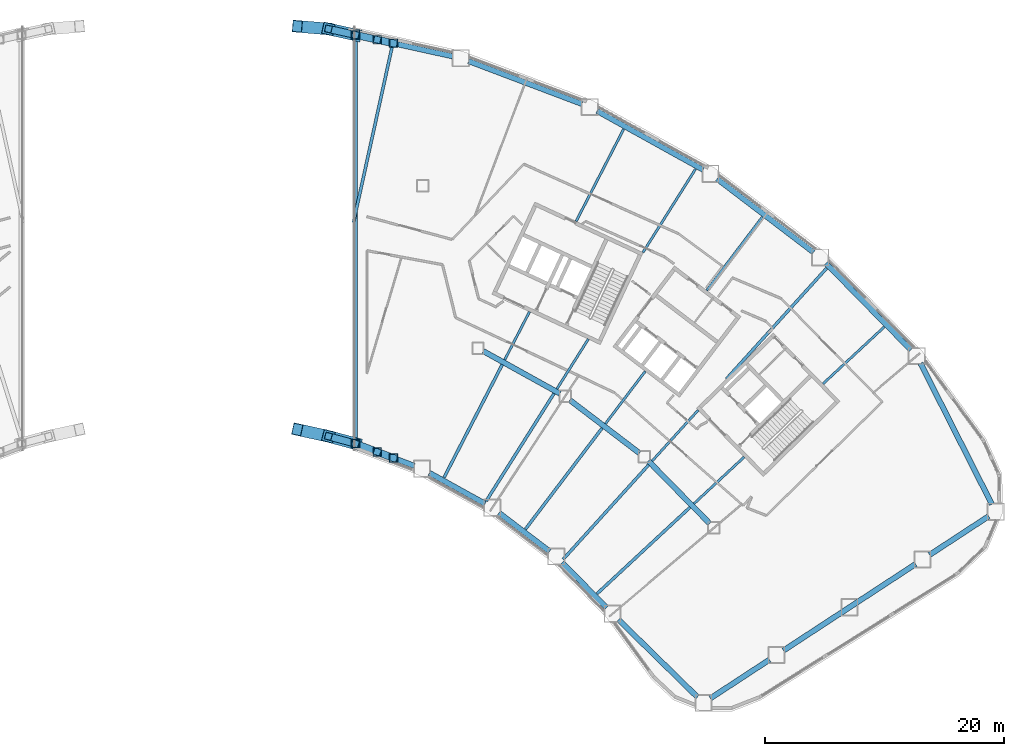
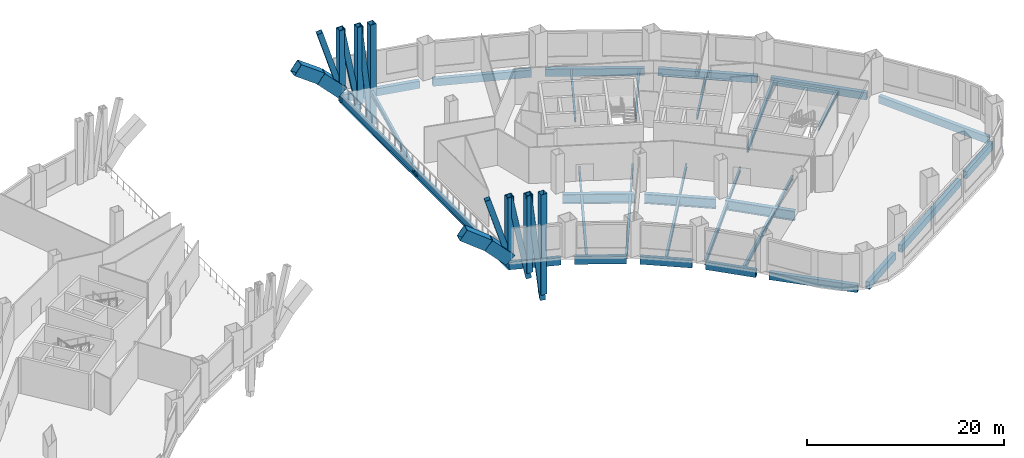
# One storey, part 4 of 14: 38 beams, 12 members.
"""IFC4 building model written with IfcOpenShell, lengths in metres."""

from ifc_helpers import new_model, si_unit, direction, frame, origin, origin_2d, place, context, subcontext, project, spatial, hollow_rectangle, i_section, extrude, material, material_profile, profile_set, type_object, element, save


model = new_model("IFC4")

# Units and contexts
model_context = context("Model", 3, precision=1e-05, world=origin(), true_north=direction((0.0, 1.0)))
body_context = subcontext(model_context, "Body", "Model", "MODEL_VIEW")
ifc_project = project(units=[si_unit("LENGTHUNIT", "METRE"), si_unit("AREAUNIT", "SQUARE_METRE"), si_unit("VOLUMEUNIT", "CUBIC_METRE"), si_unit("PLANEANGLEUNIT", "RADIAN"), si_unit("MASSUNIT", "GRAM", prefix="KILO")], contexts=[model_context])

# Site, building, storey
site_placement = place(None, origin())
site = spatial("IfcSite", under=ifc_project, at=site_placement, CompositionType="ELEMENT")
building_placement = place(site_placement, origin())
building = spatial("IfcBuilding", under=site, at=building_placement, Name="Tuul Gate Civic Tower", CompositionType="ELEMENT")
storey_placement = place(building_placement, frame((0.0, 0.0, 17.10009765625)))
storey = spatial("IfcBuildingStorey", under=building, at=storey_placement, Name="Level 03", CompositionType="ELEMENT", Elevation=17.10009765625)

# Beams
ifc_material_1 = material(Name="Steel S460", Category="steel")
ifc_material_profile_1 = material_profile(ifc_material_1, hollow_rectangle(XDim=1.0, YDim=1.39990234375, WallThickness=0.0400390625, at=origin_2d()), Name="BOX1400x1000x40")
ifc_profile_set_1 = profile_set([ifc_material_profile_1], Name="Steel S460")
beam_type_1 = type_object("IfcBeamType", Name="STR-ARCH TRUSS CHORD-BOX1400x1000x40", PredefinedType="BEAM", material=ifc_profile_set_1)
beam_1_placement = place(storey_placement, frame((9.110107421875, 19.254150390625, 4.171875), z_axis=(0.818709909482, -0.068519957748, -0.570104463679), x_axis=(0.083401016609, 0.996516066317, 0.0)))
element("IfcBeam", 1, at=beam_1_placement, inside=storey, type_object=beam_type_1, Name="Arch rib", PredefinedType="BEAM", context=body_context, shape_type="SweptSolid", body=[
    extrude(hollow_rectangle(XDim=1.0, YDim=1.39990234375, WallThickness=0.0400390625, at=origin_2d()), origin(), (0.0, 0.0, 1.0), 3.181884765625),
])
beam_2_placement = place(storey_placement, frame((11.715087890625, 19.0361328125, 2.35791015625), z_axis=(0.701372500175, -0.154602798728, -0.695826552112), x_axis=(0.215261313417, 0.976556484258, 0.0)))
element("IfcBeam", 2, at=beam_2_placement, inside=storey, type_object=beam_type_1, Name="Arch rib", PredefinedType="BEAM", context=body_context, shape_type="SweptSolid", body=[
    extrude(hollow_rectangle(XDim=1.0, YDim=1.39990234375, WallThickness=0.0400390625, at=origin_2d()), origin(), (0.0, 0.0, 1.0), 3.213623046875),
])
beam_3_placement = place(storey_placement, frame((9.110107421875, -14.489013671875, 4.171875), z_axis=(0.807532630492, -0.178005318362, -0.562321222545), x_axis=(0.215263336647, 0.976556038277, 0.0)))
element("IfcBeam", 3, at=beam_3_placement, inside=storey, type_object=beam_type_1, Name="Arch rib", PredefinedType="BEAM", context=body_context, shape_type="SweptSolid", body=[
    extrude(hollow_rectangle(XDim=1.0, YDim=1.39990234375, WallThickness=0.0400390625, at=origin_2d()), origin(), (0.0, 0.0, 1.0), 3.225830078125),
])
beam_4_placement = place(storey_placement, frame((11.715087890625, -15.063232421875, 2.35791015625), z_axis=(0.697281561434, -0.187764510585, -0.691767961566), x_axis=(0.260018484272, 0.965603639097, 0.0)))
element("IfcBeam", 4, at=beam_4_placement, inside=storey, type_object=beam_type_1, Name="Arch rib", PredefinedType="BEAM", context=body_context, shape_type="SweptSolid", body=[
    extrude(hollow_rectangle(XDim=1.0, YDim=1.39990234375, WallThickness=0.0400390625, at=origin_2d()), origin(), (0.0, 0.0, 1.0), 3.232421875),
])

# Members
ifc_material_2 = material(Name="Steel S355", Category="steel")
ifc_material_profile_2 = material_profile(ifc_material_2, hollow_rectangle(XDim=0.60009765625, YDim=0.60009765625, WallThickness=0.02490234375, at=origin_2d()), Name="BOX600x600x25")
ifc_profile_set_2 = profile_set([ifc_material_profile_2], Name="Steel S355")
member_type_1 = type_object("IfcMemberType", Name="STR-ARCH TRUSS DIAGONAL-BOX600x600x25", PredefinedType="BRACE", material=ifc_profile_set_2)
member_1_placement = place(storey_placement, frame((13.968994140625, 18.539306640625, 0.121826171875), z_axis=(-0.280791997788, 0.061894683221, 0.957770798347), x_axis=(-0.215261313417, -0.976556484258, 0.0)))
element("IfcMember", 5, at=member_1_placement, inside=storey, type_object=member_type_1, Name="Arch web", PredefinedType="BRACE", context=body_context, shape_type="SweptSolid", body=[
    extrude(hollow_rectangle(XDim=0.60009765625, YDim=0.60009765625, WallThickness=0.02490234375, at=origin_2d()), origin(), (0.0, 0.0, 1.0), 8.02685546875),
])
member_2_placement = place(storey_placement, frame((15.801025390625, 18.1357421875, -2.468994140625), z_axis=(-0.175337592275, 0.038623805974, 0.983750441091), x_axis=(-0.215124939042, -0.976586535132, 0.0)))
element("IfcMember", 6, at=member_2_placement, inside=storey, type_object=member_type_1, Name="Arch web", PredefinedType="BRACE", context=body_context, shape_type="SweptSolid", body=[
    extrude(hollow_rectangle(XDim=0.60009765625, YDim=0.60009765625, WallThickness=0.02490234375, at=origin_2d()), origin(), (0.0, 0.0, 1.0), 10.448486328125),
])
member_3_placement = place(storey_placement, frame((17.158935546875, 17.83642578125, -5.339111328125), z_axis=(-0.102698911509, 0.022637336481, 0.994454868042), x_axis=(-0.215256996806, -0.976557435754, 0.0)))
element("IfcMember", 7, at=member_3_placement, inside=storey, type_object=member_type_1, Name="Arch web", PredefinedType="BRACE", context=body_context, shape_type="SweptSolid", body=[
    extrude(hollow_rectangle(XDim=0.60009765625, YDim=0.60009765625, WallThickness=0.02490234375, at=origin_2d()), origin(), (0.0, 0.0, 1.0), 13.22216796875),
])
member_4_placement = place(storey_placement, frame((13.968994140625, -15.670166015625, 0.121826171875), z_axis=(-0.280527556176, 0.075540674248, 0.956868798091), x_axis=(-0.260018484272, -0.965603639097, 0.0)))
element("IfcMember", 8, at=member_4_placement, inside=storey, type_object=member_type_1, Name="Arch web", PredefinedType="BRACE", context=body_context, shape_type="SweptSolid", body=[
    extrude(hollow_rectangle(XDim=0.60009765625, YDim=0.60009765625, WallThickness=0.02490234375, at=origin_2d()), origin(), (0.0, 0.0, 1.0), 8.034423828125),
])
member_5_placement = place(storey_placement, frame((15.801025390625, -16.36279296875, -2.468994140625), z_axis=(-0.175083691875, 0.066193021568, 0.98232590556), x_axis=(-0.353635692756, -0.935383235262, 0.0)))
element("IfcMember", 9, at=member_5_placement, inside=storey, type_object=member_type_1, Name="Arch web", PredefinedType="BRACE", context=body_context, shape_type="SweptSolid", body=[
    extrude(hollow_rectangle(XDim=0.60009765625, YDim=0.60009765625, WallThickness=0.02490234375, at=origin_2d()), origin(), (0.0, 0.0, 1.0), 10.4638671875),
])
member_6_placement = place(storey_placement, frame((17.158935546875, -16.876220703125, -5.339111328125), z_axis=(-0.102647838096, 0.038811291535, 0.993960313586), x_axis=(-0.35366545796, -0.935371981538, 0.0)))
element("IfcMember", 10, at=member_6_placement, inside=storey, type_object=member_type_1, Name="Arch web", PredefinedType="BRACE", context=body_context, shape_type="SweptSolid", body=[
    extrude(hollow_rectangle(XDim=0.60009765625, YDim=0.60009765625, WallThickness=0.02490234375, at=origin_2d()), origin(), (0.0, 0.0, 1.0), 13.228759765625),
])
ifc_material_3 = material(Name="Steel S355", Category="steel")
ifc_material_profile_3 = material_profile(ifc_material_3, hollow_rectangle(XDim=0.699951171875, YDim=0.699951171875, WallThickness=0.030029296875, at=origin_2d()), Name="BOX700x700x30")
ifc_profile_set_3 = profile_set([ifc_material_profile_3], Name="Steel S355")
member_type_2 = type_object("IfcMemberType", Name="STR-ARCH TRUSS POST-BOX700x700x30", PredefinedType="POST", material=ifc_profile_set_3)
member_7_placement = place(storey_placement, frame((13.968994140625, 18.539306640625, 0.81201171875), z_axis=(0.0, 0.0, 1.0), x_axis=(1.0, 0.0, 0.0)))
element("IfcMember", 11, at=member_7_placement, inside=storey, type_object=member_type_2, Name="Arch post", PredefinedType="POST", context=body_context, shape_type="SweptSolid", body=[
    extrude(hollow_rectangle(XDim=0.699951171875, YDim=0.699951171875, WallThickness=0.030029296875, at=origin_2d()), origin(), (0.0, 0.0, 1.0), 6.997802734375),
])
member_8_placement = place(storey_placement, frame((15.801025390625, 18.1357421875, -1.779052734375), z_axis=(0.0, 0.0, 1.0), x_axis=(1.0, 0.0, 0.0)))
element("IfcMember", 12, at=member_8_placement, inside=storey, type_object=member_type_2, Name="Arch post", PredefinedType="POST", context=body_context, shape_type="SweptSolid", body=[
    extrude(hollow_rectangle(XDim=0.699951171875, YDim=0.699951171875, WallThickness=0.030029296875, at=origin_2d()), origin(), (0.0, 0.0, 1.0), 9.5888671875),
])
member_9_placement = place(storey_placement, frame((17.158935546875, 17.83642578125, -4.649169921875), z_axis=(0.0, 0.0, 1.0), x_axis=(1.0, 0.0, 0.0)))
element("IfcMember", 13, at=member_9_placement, inside=storey, type_object=member_type_2, Name="Arch post", PredefinedType="POST", context=body_context, shape_type="SweptSolid", body=[
    extrude(hollow_rectangle(XDim=0.699951171875, YDim=0.699951171875, WallThickness=0.030029296875, at=origin_2d()), origin(), (0.0, 0.0, 1.0), 12.458984375),
])
member_10_placement = place(storey_placement, frame((13.968994140625, -15.670166015625, 0.81201171875), z_axis=(0.0, 0.0, 1.0), x_axis=(1.0, 0.0, 0.0)))
element("IfcMember", 14, at=member_10_placement, inside=storey, type_object=member_type_2, Name="Arch post", PredefinedType="POST", context=body_context, shape_type="SweptSolid", body=[
    extrude(hollow_rectangle(XDim=0.699951171875, YDim=0.699951171875, WallThickness=0.030029296875, at=origin_2d()), origin(), (0.0, 0.0, 1.0), 6.997802734375),
])
member_11_placement = place(storey_placement, frame((15.801025390625, -16.36279296875, -1.779052734375), z_axis=(0.0, 0.0, 1.0), x_axis=(1.0, 0.0, 0.0)))
element("IfcMember", 15, at=member_11_placement, inside=storey, type_object=member_type_2, Name="Arch post", PredefinedType="POST", context=body_context, shape_type="SweptSolid", body=[
    extrude(hollow_rectangle(XDim=0.699951171875, YDim=0.699951171875, WallThickness=0.030029296875, at=origin_2d()), origin(), (0.0, 0.0, 1.0), 9.5888671875),
])
member_12_placement = place(storey_placement, frame((17.158935546875, -16.876220703125, -4.649169921875), z_axis=(0.0, 0.0, 1.0), x_axis=(1.0, 0.0, 0.0)))
element("IfcMember", 16, at=member_12_placement, inside=storey, type_object=member_type_2, Name="Arch post", PredefinedType="POST", context=body_context, shape_type="SweptSolid", body=[
    extrude(hollow_rectangle(XDim=0.699951171875, YDim=0.699951171875, WallThickness=0.030029296875, at=origin_2d()), origin(), (0.0, 0.0, 1.0), 12.458984375),
])

# Beams
ifc_material_4 = material(Name="Steel S355", Category="steel")
ifc_material_profile_4 = material_profile(ifc_material_4, i_section(OverallWidth=0.199951171875, OverallDepth=0.5, WebThickness=0.010009765625, FlangeThickness=0.01611328125, at=origin_2d()), Name="PG500x200x10x16")
ifc_profile_set_4 = profile_set([ifc_material_profile_4], Name="Steel S355")
beam_type_2 = type_object("IfcBeamType", Name="STR-FLOOR BEAM-PG500x200x10x16", PredefinedType="BEAM", material=ifc_profile_set_4)
beam_5_placement = place(storey_placement, frame((42.313232421875, -20.696533203125, -0.60009765625), z_axis=(0.732672121193, 0.680581782615, 0.0), x_axis=(-0.680581782615, 0.732672121193, 0.0)))
element("IfcBeam", 17, at=beam_5_placement, inside=storey, type_object=beam_type_2, Name="Floor beam", PredefinedType="BEAM", context=body_context, shape_type="SweptSolid", body=[
    extrude(i_section(OverallWidth=0.199951171875, OverallDepth=0.5, WebThickness=0.010009765625, FlangeThickness=0.01611328125, at=origin_2d()), origin(), (0.0, 0.0, 1.0), 5.73193359375),
])
beam_6_placement = place(storey_placement, frame((53.109375, -10.668212890625, -0.60009765625), z_axis=(0.732687862246, 0.680564836381, 0.0), x_axis=(-0.680564836381, 0.732687862246, 0.0)))
element("IfcBeam", 18, at=beam_6_placement, inside=storey, type_object=beam_type_2, Name="Floor beam", PredefinedType="BEAM", context=body_context, shape_type="SweptSolid", body=[
    extrude(i_section(OverallWidth=0.199951171875, OverallDepth=0.5, WebThickness=0.010009765625, FlangeThickness=0.01611328125, at=origin_2d()), origin(), (0.0, 0.0, 1.0), 6.997802734375),
])
beam_7_placement = place(storey_placement, frame((38.812255859375, -17.125, -0.60009765625), z_axis=(0.671102625073, 0.741364462744, 0.0), x_axis=(-0.741364462744, 0.671102625073, 0.0)))
element("IfcBeam", 19, at=beam_7_placement, inside=storey, type_object=beam_type_2, Name="Floor beam", PredefinedType="BEAM", context=body_context, shape_type="SweptSolid", body=[
    extrude(i_section(OverallWidth=0.199951171875, OverallDepth=0.5, WebThickness=0.010009765625, FlangeThickness=0.01611328125, at=origin_2d()), origin(), (0.0, 0.0, 1.0), 5.740234375),
])
beam_8_placement = place(storey_placement, frame((34.8984375, -14.01220703125, -0.60009765625), z_axis=(0.604519082905, 0.79659065925, 0.0), x_axis=(-0.79659065925, 0.604519082905, 0.0)))
element("IfcBeam", 20, at=beam_8_placement, inside=storey, type_object=beam_type_2, Name="Floor beam", PredefinedType="BEAM", context=body_context, shape_type="SweptSolid", body=[
    extrude(i_section(OverallWidth=0.199951171875, OverallDepth=0.5, WebThickness=0.010009765625, FlangeThickness=0.01611328125, at=origin_2d()), origin(), (0.0, 0.0, 1.0), 5.520263671875),
])
beam_9_placement = place(storey_placement, frame((43.373779296875, -2.84375, -0.60009765625), z_axis=(0.604512693182, 0.796595508261, 0.0), x_axis=(-0.796595508261, 0.604512693182, 0.0)))
element("IfcBeam", 21, at=beam_9_placement, inside=storey, type_object=beam_type_2, Name="Floor beam", PredefinedType="BEAM", context=body_context, shape_type="SweptSolid", body=[
    extrude(i_section(OverallWidth=0.199951171875, OverallDepth=0.5, WebThickness=0.010009765625, FlangeThickness=0.01611328125, at=origin_2d()), origin(), (0.0, 0.0, 1.0), 7.704833984375),
])
beam_10_placement = place(storey_placement, frame((30.841552734375, -11.089599609375, -0.60009765625), z_axis=(0.533401895613, 0.845861937763, 0.0), x_axis=(-0.845861937763, 0.533401895613, 0.0)))
element("IfcBeam", 22, at=beam_10_placement, inside=storey, type_object=beam_type_2, Name="Floor beam", PredefinedType="BEAM", context=body_context, shape_type="SweptSolid", body=[
    extrude(i_section(OverallWidth=0.199951171875, OverallDepth=0.5, WebThickness=0.010009765625, FlangeThickness=0.01611328125, at=origin_2d()), origin(), (0.0, 0.0, 1.0), 4.92724609375),
])
beam_11_placement = place(storey_placement, frame((38.0400390625, 0.325927734375, -0.60009765625), z_axis=(0.53337261638, 0.845880400586, 0.0), x_axis=(-0.845880400586, 0.53337261638, 0.0)))
element("IfcBeam", 23, at=beam_11_placement, inside=storey, type_object=beam_type_2, Name="Floor beam", PredefinedType="BEAM", context=body_context, shape_type="SweptSolid", body=[
    extrude(i_section(OverallWidth=0.199951171875, OverallDepth=0.5, WebThickness=0.010009765625, FlangeThickness=0.01611328125, at=origin_2d()), origin(), (0.0, 0.0, 1.0), 8.263916015625),
])
beam_12_placement = place(storey_placement, frame((26.468017578125, -8.6650390625, -0.60009765625), z_axis=(0.458251317749, 0.88882266498, 0.0), x_axis=(-0.88882266498, 0.458251317749, 0.0)))
element("IfcBeam", 24, at=beam_12_placement, inside=storey, type_object=beam_type_2, Name="Floor beam", PredefinedType="BEAM", context=body_context, shape_type="SweptSolid", body=[
    extrude(i_section(OverallWidth=0.199951171875, OverallDepth=0.5, WebThickness=0.010009765625, FlangeThickness=0.01611328125, at=origin_2d()), origin(), (0.0, 0.0, 1.0), 4.54248046875),
])
beam_13_placement = place(storey_placement, frame((32.447998046875, 2.933349609375, -0.60009765625), z_axis=(0.458265539673, 0.888815332422, 0.0), x_axis=(-0.888815332422, 0.458265539673, 0.0)))
element("IfcBeam", 25, at=beam_13_placement, inside=storey, type_object=beam_type_2, Name="Floor beam", PredefinedType="BEAM", context=body_context, shape_type="SweptSolid", body=[
    extrude(i_section(OverallWidth=0.199951171875, OverallDepth=0.5, WebThickness=0.010009765625, FlangeThickness=0.01611328125, at=origin_2d()), origin(), (0.0, 0.0, 1.0), 8.685302734375),
])
ifc_material_5 = material(Name="Steel S355", Category="steel")
ifc_material_profile_5 = material_profile(ifc_material_5, i_section(OverallWidth=0.25, OverallDepth=0.64990234375, WebThickness=0.011962890625, FlangeThickness=0.02001953125, at=origin_2d()), Name="PG650x250x12x20")
ifc_profile_set_5 = profile_set([ifc_material_profile_5], Name="Steel S355")
beam_type_3 = type_object("IfcBeamType", Name="STR-FLOOR BEAM-PG650x250x12x20", PredefinedType="BEAM", material=ifc_profile_set_5)
beam_14_placement = place(storey_placement, frame((34.19580078125, -28.236572265625, -0.675048828125), z_axis=(0.732685493637, 0.680567386387, 0.0), x_axis=(-0.680567386387, 0.732685493637, 0.0)))
element("IfcBeam", 26, at=beam_14_placement, inside=storey, type_object=beam_type_3, Name="Floor beam", PredefinedType="BEAM", context=body_context, shape_type="SweptSolid", body=[
    extrude(i_section(OverallWidth=0.25, OverallDepth=0.64990234375, WebThickness=0.011962890625, FlangeThickness=0.02001953125, at=origin_2d()), origin(), (0.0, 0.0, 1.0), 10.62890625),
])
beam_15_placement = place(storey_placement, frame((31.366455078125, -25.35009765625, -0.675048828125), z_axis=(0.671117501912, 0.741350995567, 0.0), x_axis=(-0.741350995567, 0.671117501912, 0.0)))
element("IfcBeam", 27, at=beam_15_placement, inside=storey, type_object=beam_type_3, Name="Floor beam", PredefinedType="BEAM", context=body_context, shape_type="SweptSolid", body=[
    extrude(i_section(OverallWidth=0.25, OverallDepth=0.64990234375, WebThickness=0.011962890625, FlangeThickness=0.02001953125, at=origin_2d()), origin(), (0.0, 0.0, 1.0), 10.643798828125),
])
beam_16_placement = place(storey_placement, frame((45.019775390625, -10.267578125, -0.675048828125), z_axis=(0.671117634609, 0.741350875441, 0.0), x_axis=(-0.741350875441, 0.671117634609, 0.0)))
element("IfcBeam", 28, at=beam_16_placement, inside=storey, type_object=beam_type_3, Name="Floor beam", PredefinedType="BEAM", context=body_context, shape_type="SweptSolid", body=[
    extrude(i_section(OverallWidth=0.25, OverallDepth=0.64990234375, WebThickness=0.011962890625, FlangeThickness=0.02001953125, at=origin_2d()), origin(), (0.0, 0.0, 1.0), 12.51416015625),
])
beam_17_placement = place(storey_placement, frame((28.20361328125, -22.83447265625, -0.675048828125), z_axis=(0.604505162529, 0.796601222995, 0.0), x_axis=(-0.796601222995, 0.604505162529, 0.0)))
element("IfcBeam", 29, at=beam_17_placement, inside=storey, type_object=beam_type_3, Name="Floor beam", PredefinedType="BEAM", context=body_context, shape_type="SweptSolid", body=[
    extrude(i_section(OverallWidth=0.25, OverallDepth=0.64990234375, WebThickness=0.011962890625, FlangeThickness=0.02001953125, at=origin_2d()), origin(), (0.0, 0.0, 1.0), 10.625),
])
beam_18_placement = place(storey_placement, frame((24.9248046875, -20.47265625, -0.675048828125), z_axis=(0.533386929433, 0.845871375275, 0.0), x_axis=(-0.845871375275, 0.533386929433, 0.0)))
element("IfcBeam", 30, at=beam_18_placement, inside=storey, type_object=beam_type_3, Name="Floor beam", PredefinedType="BEAM", context=body_context, shape_type="SweptSolid", body=[
    extrude(i_section(OverallWidth=0.25, OverallDepth=0.64990234375, WebThickness=0.011962890625, FlangeThickness=0.02001953125, at=origin_2d()), origin(), (0.0, 0.0, 1.0), 10.641845703125),
])
beam_19_placement = place(storey_placement, frame((21.390380859375, -18.512939453125, -0.675048828125), z_axis=(0.45825908174, 0.888818662047, 0.0), x_axis=(-0.888818662047, 0.45825908174, 0.0)))
element("IfcBeam", 31, at=beam_19_placement, inside=storey, type_object=beam_type_3, Name="Floor beam", PredefinedType="BEAM", context=body_context, shape_type="SweptSolid", body=[
    extrude(i_section(OverallWidth=0.25, OverallDepth=0.64990234375, WebThickness=0.011962890625, FlangeThickness=0.02001953125, at=origin_2d()), origin(), (0.0, 0.0, 1.0), 10.629638671875),
])
beam_20_placement = place(storey_placement, frame((13.81396484375, 2.8408203125, -0.675048828125), z_axis=(0.214691065423, 0.976682008858, 0.0), x_axis=(-0.976682008858, 0.214691065423, 0.0)))
element("IfcBeam", 32, at=beam_20_placement, inside=storey, type_object=beam_type_3, Name="Floor beam", PredefinedType="BEAM", context=body_context, shape_type="SweptSolid", body=[
    extrude(i_section(OverallWidth=0.25, OverallDepth=0.64990234375, WebThickness=0.011962890625, FlangeThickness=0.02001953125, at=origin_2d()), origin(), (0.0, 0.0, 1.0), 15.1142578125),
])
ifc_material_6 = material(Name="Steel S355", Category="steel")
ifc_material_profile_6 = material_profile(ifc_material_6, i_section(OverallWidth=0.35009765625, OverallDepth=1.0, WebThickness=0.01611328125, FlangeThickness=0.030029296875, at=origin_2d()), Name="PG1000x350x16x30")
ifc_profile_set_6 = profile_set([ifc_material_profile_6], Name="Steel S355")
beam_type_4 = type_object("IfcBeamType", Name="STR-RING BEAM-PG1000x350x16x30", PredefinedType="BEAM", material=ifc_profile_set_6)
beam_21_placement = place(storey_placement, frame((13.989013671875, -15.677734375, -0.85009765625), z_axis=(0.0, 1.0, 0.0), x_axis=(-1.0, 0.0, 0.0)))
element("IfcBeam", 33, at=beam_21_placement, inside=storey, type_object=beam_type_4, Name="Tunnel edge beam", PredefinedType="BEAM", context=body_context, shape_type="SweptSolid", body=[
    extrude(i_section(OverallWidth=0.35009765625, OverallDepth=1.0, WebThickness=0.01611328125, FlangeThickness=0.030029296875, at=origin_2d()), origin(), (0.0, 0.0, 1.0), 34.212646484375),
])
ifc_material_7 = material(Name="Steel S355", Category="steel")
ifc_material_profile_7 = material_profile(ifc_material_7, i_section(OverallWidth=0.449951171875, OverallDepth=1.199951171875, WebThickness=0.02001953125, FlangeThickness=0.0400390625, at=origin_2d()), Name="PG1200x450x20x40")
ifc_profile_set_7 = profile_set([ifc_material_profile_7], Name="Steel S355")
beam_type_5 = type_object("IfcBeamType", Name="STR-RING BEAM-PG1200x450x20x40", PredefinedType="BEAM", material=ifc_profile_set_7)
beam_22_placement = place(storey_placement, frame((24.67333984375, -7.927490234375, -0.9501953125), z_axis=(0.874595196089, -0.484853836717, 0.0), x_axis=(0.484853836717, 0.874595196089, 0.0)))
element("IfcBeam", 34, at=beam_22_placement, inside=storey, type_object=beam_type_5, Name="Ring girder", PredefinedType="BEAM", context=body_context, shape_type="SweptSolid", body=[
    extrude(i_section(OverallWidth=0.449951171875, OverallDepth=1.199951171875, WebThickness=0.02001953125, FlangeThickness=0.0400390625, at=origin_2d()), origin(), (0.0, 0.0, 1.0), 7.3310546875),
])
beam_23_placement = place(storey_placement, frame((31.920166015625, -12.02734375, -0.9501953125), z_axis=(0.795630466158, -0.605782272207, 0.0), x_axis=(0.605782272207, 0.795630466158, 0.0)))
element("IfcBeam", 35, at=beam_23_placement, inside=storey, type_object=beam_type_5, Name="Ring girder", PredefinedType="BEAM", context=body_context, shape_type="SweptSolid", body=[
    extrude(i_section(OverallWidth=0.449951171875, OverallDepth=1.199951171875, WebThickness=0.02001953125, FlangeThickness=0.0400390625, at=origin_2d()), origin(), (0.0, 0.0, 1.0), 7.330078125),
])
beam_24_placement = place(storey_placement, frame((38.5, -17.127685546875, -0.9501953125), z_axis=(0.699994492155, -0.71414824158, 0.0), x_axis=(0.71414824158, 0.699994492155, 0.0)))
element("IfcBeam", 36, at=beam_24_placement, inside=storey, type_object=beam_type_5, Name="Ring girder", PredefinedType="BEAM", context=body_context, shape_type="SweptSolid", body=[
    extrude(i_section(OverallWidth=0.449951171875, OverallDepth=1.199951171875, WebThickness=0.02001953125, FlangeThickness=0.0400390625, at=origin_2d()), origin(), (0.0, 0.0, 1.0), 7.330810546875),
])
ifc_material_8 = material(Name="Steel S355", Category="steel")
ifc_material_profile_8 = material_profile(ifc_material_8, hollow_rectangle(XDim=0.449951171875, YDim=0.89990234375, WallThickness=0.02490234375, at=origin_2d()), Name="BOX900x450x25")
ifc_profile_set_8 = profile_set([ifc_material_profile_8], Name="Steel S355")
beam_type_6 = type_object("IfcBeamType", Name="STR-SPANDREL BEAM-BOX900x450x25", PredefinedType="BEAM", material=ifc_profile_set_8)
beam_25_placement = place(storey_placement, frame((67.245849609375, -20.742431640625, -0.800048828125), z_axis=(-0.451678979782, 0.892180530623, 0.0), x_axis=(-0.892180530623, -0.451678979782, 0.0)))
element("IfcBeam", 37, at=beam_25_placement, inside=storey, type_object=beam_type_6, Name="Spandrel beam", PredefinedType="BEAM", context=body_context, shape_type="SweptSolid", body=[
    extrude(hollow_rectangle(XDim=0.449951171875, YDim=0.89990234375, WallThickness=0.02490234375, at=origin_2d()), origin(), (0.0, 0.0, 1.0), 13.214599609375),
])
beam_26_placement = place(storey_placement, frame((60.470947265625, -7.828125, -0.800048828125), z_axis=(-0.700009826077, 0.714133211239, 0.0), x_axis=(-0.714133211239, -0.700009826077, 0.0)))
element("IfcBeam", 38, at=beam_26_placement, inside=storey, type_object=beam_type_6, Name="Spandrel beam", PredefinedType="BEAM", context=body_context, shape_type="SweptSolid", body=[
    extrude(hollow_rectangle(XDim=0.449951171875, YDim=0.89990234375, WallThickness=0.02490234375, at=origin_2d()), origin(), (0.0, 0.0, 1.0), 10.14697265625),
])
for number, where, z_axis, x_axis, name in (
    (39, (52.321044921875, 0.342041015625, -0.800048828125), (-0.795616160285, 0.605801060987, 0.0), (-0.605801060987, -0.795616160285, 0.0), "Spandrel beam"),
    (40, (43.078857421875, 7.25244140625, -0.800048828125), (-0.874621074476, 0.484807153497, 0.0), (-0.484807153497, -0.874621074476, 0.0), "Spandrel beam"),
):
    element("IfcBeam", number, at=place(storey_placement, frame(where, z_axis=z_axis, x_axis=x_axis)), inside=storey, type_object=beam_type_6, Name=name, PredefinedType="BEAM", context=body_context, shape_type="SweptSolid", body=[
        extrude(hollow_rectangle(XDim=0.449951171875, YDim=0.89990234375, WallThickness=0.02490234375, at=origin_2d()), origin(), (0.0, 0.0, 1.0), 10.146728515625),
    ])
beam_27_placement = place(storey_placement, frame((32.937255859375, 12.758544921875, -0.800048828125), z_axis=(-0.935355549891, 0.353708913215, 0.0), x_axis=(-0.353708913215, -0.935355549891, 0.0)))
element("IfcBeam", 41, at=beam_27_placement, inside=storey, type_object=beam_type_6, Name="Spandrel beam", PredefinedType="BEAM", context=body_context, shape_type="SweptSolid", body=[
    extrude(hollow_rectangle(XDim=0.449951171875, YDim=0.89990234375, WallThickness=0.02490234375, at=origin_2d()), origin(), (0.0, 0.0, 1.0), 10.146484375),
])
beam_28_placement = place(storey_placement, frame((22.1083984375, 16.74560546875, -0.800048828125), z_axis=(-0.976564536155, 0.215224781856, 0.0), x_axis=(-0.215224781856, -0.976564536155, 0.0)))
element("IfcBeam", 42, at=beam_28_placement, inside=storey, type_object=beam_type_6, Name="Spandrel beam", PredefinedType="BEAM", context=body_context, shape_type="SweptSolid", body=[
    extrude(hollow_rectangle(XDim=0.449951171875, YDim=0.89990234375, WallThickness=0.02490234375, at=origin_2d()), origin(), (0.0, 0.0, 1.0), 8.51904296875),
])
beam_29_placement = place(storey_placement, frame((13.9248046875, -15.653564453125, -0.800048828125), z_axis=(0.935406025935, -0.353575404468, 0.0), x_axis=(0.353575404468, 0.935406025935, 0.0)))
element("IfcBeam", 43, at=beam_29_placement, inside=storey, type_object=beam_type_6, Name="Spandrel beam", PredefinedType="BEAM", context=body_context, shape_type="SweptSolid", body=[
    extrude(hollow_rectangle(XDim=0.449951171875, YDim=0.89990234375, WallThickness=0.02490234375, at=origin_2d()), origin(), (0.0, 0.0, 1.0), 5.322265625),
])
beam_30_placement = place(storey_placement, frame((20.170166015625, -18.122314453125, -0.800048828125), z_axis=(0.87456368019, -0.484910681769, 0.0), x_axis=(0.484910681769, 0.87456368019, 0.0)))
element("IfcBeam", 44, at=beam_30_placement, inside=storey, type_object=beam_type_6, Name="Spandrel beam", PredefinedType="BEAM", context=body_context, shape_type="SweptSolid", body=[
    extrude(hollow_rectangle(XDim=0.449951171875, YDim=0.89990234375, WallThickness=0.02490234375, at=origin_2d()), origin(), (0.0, 0.0, 1.0), 5.3232421875),
])
beam_31_placement = place(storey_placement, frame((25.994873046875, -21.467041015625, -0.800048828125), z_axis=(0.795624397763, -0.605790242315, 0.0), x_axis=(0.605790242315, 0.795624397763, 0.0)))
element("IfcBeam", 45, at=beam_31_placement, inside=storey, type_object=beam_type_6, Name="Spandrel beam", PredefinedType="BEAM", context=body_context, shape_type="SweptSolid", body=[
    extrude(hollow_rectangle(XDim=0.449951171875, YDim=0.89990234375, WallThickness=0.02490234375, at=origin_2d()), origin(), (0.0, 0.0, 1.0), 5.32177734375),
])
beam_32_placement = place(storey_placement, frame((31.276123046875, -25.614990234375, -0.800048828125), z_axis=(0.700007662648, -0.714135331876, 0.0), x_axis=(0.714135331876, 0.700007662648, 0.0)))
element("IfcBeam", 46, at=beam_32_placement, inside=storey, type_object=beam_type_6, Name="Spandrel beam", PredefinedType="BEAM", context=body_context, shape_type="SweptSolid", body=[
    extrude(hollow_rectangle(XDim=0.449951171875, YDim=0.89990234375, WallThickness=0.02490234375, at=origin_2d()), origin(), (0.0, 0.0, 1.0), 5.322509765625),
])
beam_33_placement = place(storey_placement, frame((35.991943359375, -30.406005859375, -0.800048828125), z_axis=(0.714257932821, -0.699882565437, 0.0), x_axis=(0.699882565437, 0.714257932821, 0.0)))
element("IfcBeam", 47, at=beam_33_placement, inside=storey, type_object=beam_type_6, Name="Spandrel beam", PredefinedType="BEAM", context=body_context, shape_type="SweptSolid", body=[
    extrude(hollow_rectangle(XDim=0.449951171875, YDim=0.89990234375, WallThickness=0.02490234375, at=origin_2d()), origin(), (0.0, 0.0, 1.0), 9.255859375),
])
beam_34_placement = place(storey_placement, frame((43.688720703125, -36.99072265625, -0.800048828125), z_axis=(0.836737319566, 0.547604472265, 0.0), x_axis=(-0.547604472265, 0.836737319566, 0.0)))
element("IfcBeam", 48, at=beam_34_placement, inside=storey, type_object=beam_type_6, Name="Spandrel beam", PredefinedType="BEAM", context=body_context, shape_type="SweptSolid", body=[
    extrude(hollow_rectangle(XDim=0.449951171875, YDim=0.89990234375, WallThickness=0.02490234375, at=origin_2d()), origin(), (0.0, 0.0, 1.0), 5.908203125),
])
beam_35_placement = place(storey_placement, frame((49.8037109375, -32.98876953125, -0.800048828125), z_axis=(0.836741071493, 0.547598739294, 0.0), x_axis=(-0.547598739294, 0.836741071493, 0.0)))
element("IfcBeam", 49, at=beam_35_placement, inside=storey, type_object=beam_type_6, Name="Spandrel beam", PredefinedType="BEAM", context=body_context, shape_type="SweptSolid", body=[
    extrude(hollow_rectangle(XDim=0.449951171875, YDim=0.89990234375, WallThickness=0.02490234375, at=origin_2d()), origin(), (0.0, 0.0, 1.0), 13.215087890625),
])
beam_36_placement = place(storey_placement, frame((62.03271484375, -24.985595703125, -0.800048828125), z_axis=(0.836737319566, 0.547604472265, 0.0), x_axis=(-0.547604472265, 0.836737319566, 0.0)))
element("IfcBeam", 50, at=beam_36_placement, inside=storey, type_object=beam_type_6, Name="Spandrel beam", PredefinedType="BEAM", context=body_context, shape_type="SweptSolid", body=[
    extrude(hollow_rectangle(XDim=0.449951171875, YDim=0.89990234375, WallThickness=0.02490234375, at=origin_2d()), origin(), (0.0, 0.0, 1.0), 5.908203125),
])

save(model, "model.ifc")
